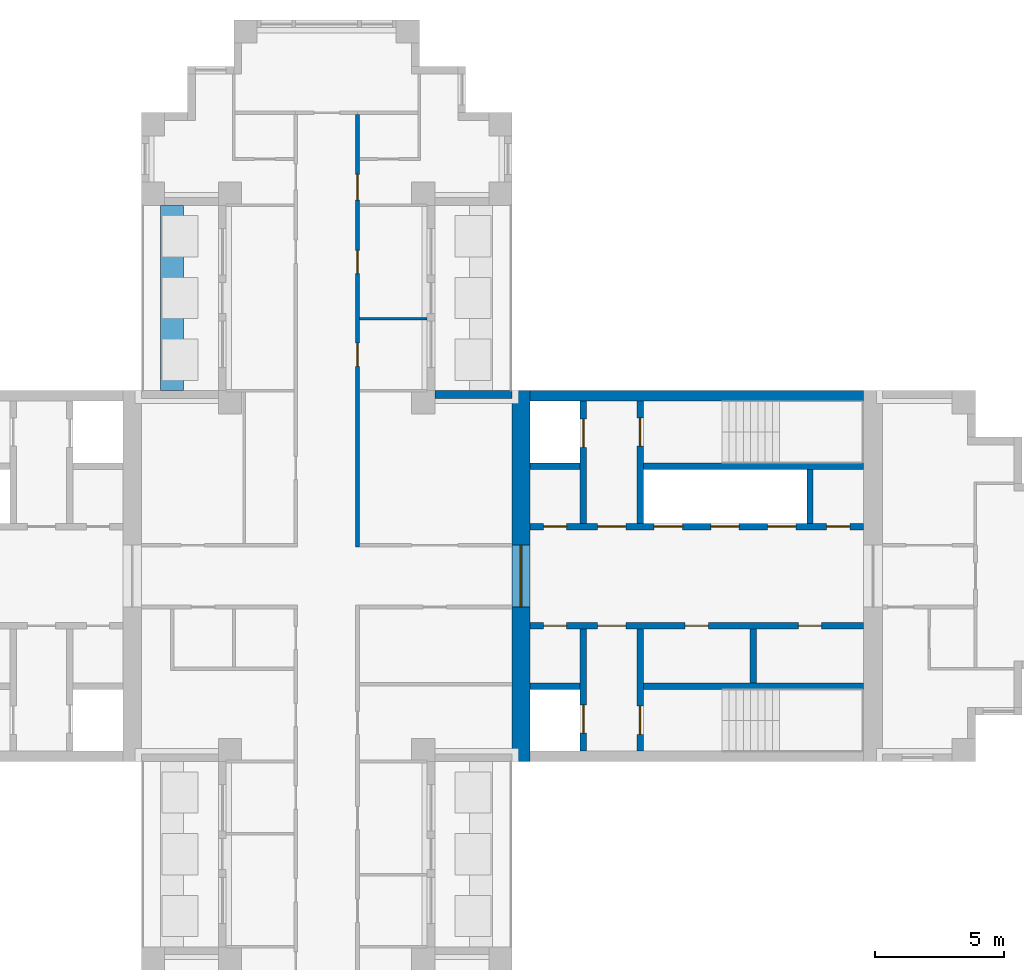
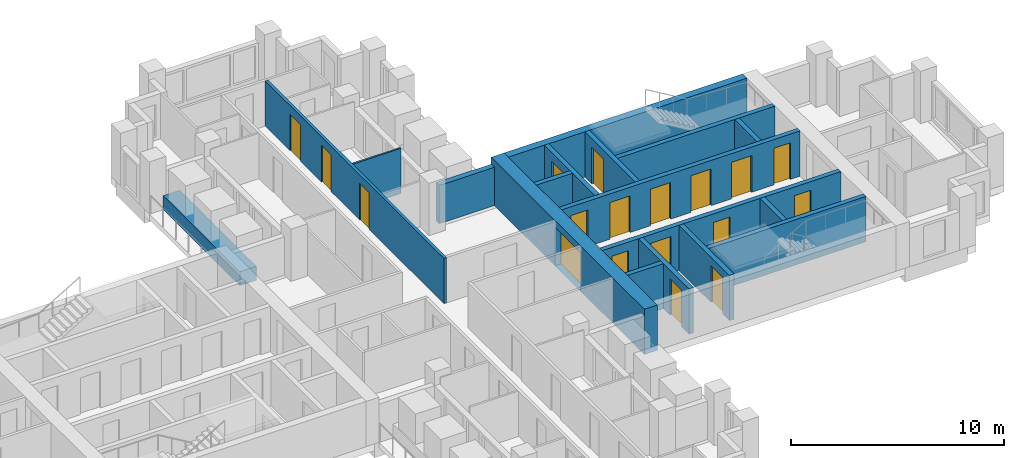
# One storey, part 6 of 11: 18 doors, 18 walls, 18 openings.
"""IFC4 building model written with IfcOpenShell, lengths in metres."""

from ifc_helpers import new_model, si_unit, direction, frame, frame_2d, origin, place, context, subcontext, project, spatial, rectangle, extrude, material, layer, layer_set, type_object, element, fill, save


model = new_model("IFC4")

# Units and contexts
model_context = context("Model", 3, precision=1e-05, world=origin(), true_north=direction((0.0, 1.0)))
body_context = subcontext(model_context, "Body", "Model", "MODEL_VIEW")
ifc_project = project(units=[si_unit("LENGTHUNIT", "METRE"), si_unit("AREAUNIT", "SQUARE_METRE"), si_unit("VOLUMEUNIT", "CUBIC_METRE"), si_unit("PLANEANGLEUNIT", "RADIAN"), si_unit("MASSUNIT", "GRAM", prefix="KILO")], contexts=[model_context])

# Site, building, storey
site_placement = place(None, origin())
site = spatial("IfcSite", under=ifc_project, at=site_placement, CompositionType="ELEMENT")
building_placement = place(site_placement, origin())
building = spatial("IfcBuilding", under=site, at=building_placement, Name="Fustian Cross Tower", CompositionType="ELEMENT")
storey_placement = place(building_placement, frame((0.0, 0.0, 170.699951171875)))
storey = spatial("IfcBuildingStorey", under=building, at=storey_placement, Name="L53", CompositionType="ELEMENT", Elevation=170.699951171875)

# Wall, openings, doors
ifc_material_1 = material(Name="Plasterboard on steel stud", Category="steel")
ifc_layer_1 = layer(ifc_material_1, 0.14990234375)
ifc_layer_set_1 = layer_set([ifc_layer_1], Name="Plasterboard on steel stud")
wall_type_1 = type_object("IfcWallType", Name="COMPARTMENT WALL 150 EI 60", PredefinedType="PARTITIONING", material=ifc_layer_set_1)
wall_1_placement = place(storey_placement, frame((1.199951171875, 1.125, 0.0), z_axis=(0.0, 0.0, 1.0), x_axis=(0.0, 1.0, 0.0)))
wall_1 = element("IfcWall", 1, at=wall_1_placement, inside=storey, type_object=wall_type_1, Name="Partition 41", PredefinedType="PARTITIONING", context=body_context, shape_type="SweptSolid", body=[
    extrude(rectangle(XDim=16.800048828125, YDim=0.14990234375, at=frame_2d((8.39990234375, 0.0))), origin(), (0.0, 0.0, 1.0), 2.60009765625),
])
opening_1_placement = place(wall_1_placement, frame((7.02490234375, 0.0, 0.0)))
opening_1 = element("IfcOpeningElement", 2, at=opening_1_placement, cuts=wall_1, Name="Opening D25017", PredefinedType="OPENING", context=body_context, shape_type="SweptSolid", body=[
    extrude(rectangle(XDim=0.89990234375, YDim=2.10009765625, at=frame_2d((0.449951171875, 1.050048828125))), frame((0.0, 0.0849609375, 0.0), z_axis=(0.0, -1.0, 0.0), x_axis=(1.0, 0.0, 0.0)), (0.0, 0.0, 1.0), 0.169921875),
])
opening_2_placement = place(wall_1_placement, frame((10.625, 0.0, 0.0)))
opening_2 = element("IfcOpeningElement", 3, at=opening_2_placement, cuts=wall_1, Name="Opening D25018", PredefinedType="OPENING", context=body_context, shape_type="SweptSolid", body=[
    extrude(rectangle(XDim=0.89990234375, YDim=2.10009765625, at=frame_2d((0.449951171875, 1.050048828125))), frame((0.0, 0.0849609375, 0.0), z_axis=(0.0, -1.0, 0.0), x_axis=(1.0, 0.0, 0.0)), (0.0, 0.0, 1.0), 0.169921875),
])
opening_3_placement = place(wall_1_placement, frame((13.47509765625, 0.0, 0.0)))
opening_3 = element("IfcOpeningElement", 4, at=opening_3_placement, cuts=wall_1, Name="Opening D25020", PredefinedType="OPENING", context=body_context, shape_type="SweptSolid", body=[
    extrude(rectangle(XDim=1.0, YDim=2.10009765625, at=frame_2d((0.5, 1.050048828125))), frame((0.0, 0.0849609375, 0.0), z_axis=(0.0, -1.0, 0.0), x_axis=(1.0, 0.0, 0.0)), (0.0, 0.0, 1.0), 0.169921875),
])
ifc_material_2 = material(Name="Timber fire door set", Category="wood")
door_type_1 = type_object("IfcDoorType", Name="FIRE SWING DOOR 1000 FD30S", OperationType="SINGLE_SWING_LEFT", PredefinedType="DOOR", material=ifc_material_2)
door_1_placement = place(opening_3_placement, frame((1.0, 0.0, 0.0), z_axis=(0.0, 0.0, 1.0), x_axis=(-1.0, 0.0, 0.0)))
door_1 = element("IfcDoor", 5, at=door_1_placement, inside=storey, type_object=door_type_1, Name="Door D25020", OperationType="SINGLE_SWING_RIGHT", OverallHeight=2.10009765625, OverallWidth=1.0, PredefinedType="DOOR", context=body_context, shape_type="SweptSolid", body=[
    extrude(rectangle(XDim=1.0, YDim=2.10009765625, at=frame_2d((0.5, 1.050048828125))), frame((0.0, 0.02490234375, 0.0), z_axis=(0.0, -1.0, 0.0), x_axis=(1.0, 0.0, 0.0)), (0.0, 0.0, 1.0), 0.050048828125),
])
fill(opening_3, door_1)
ifc_material_3 = material(Name="Timber fire door set", Category="wood")
door_type_2 = type_object("IfcDoorType", Name="FIRE SWING DOOR 900 FD30S", OperationType="SINGLE_SWING_LEFT", PredefinedType="DOOR", material=ifc_material_3)
door_2_placement = place(opening_1_placement, frame((0.89990234375, 0.0, 0.0), z_axis=(0.0, 0.0, 1.0), x_axis=(-1.0, 0.0, 0.0)))
door_2 = element("IfcDoor", 6, at=door_2_placement, inside=storey, type_object=door_type_2, Name="Door D25017", OperationType="SINGLE_SWING_RIGHT", OverallHeight=2.10009765625, OverallWidth=0.89990234375, PredefinedType="DOOR", context=body_context, shape_type="SweptSolid", body=[
    extrude(rectangle(XDim=0.89990234375, YDim=2.10009765625, at=frame_2d((0.449951171875, 1.050048828125))), frame((0.0, 0.02490234375, 0.0), z_axis=(0.0, -1.0, 0.0), x_axis=(1.0, 0.0, 0.0)), (0.0, 0.0, 1.0), 0.050048828125),
])
fill(opening_1, door_2)
door_3_placement = place(opening_2_placement, frame((0.89990234375, 0.0, 0.0), z_axis=(0.0, 0.0, 1.0), x_axis=(-1.0, 0.0, 0.0)))
door_3 = element("IfcDoor", 7, at=door_3_placement, inside=storey, type_object=door_type_2, Name="Door D25018", OperationType="SINGLE_SWING_RIGHT", OverallHeight=2.10009765625, OverallWidth=0.89990234375, PredefinedType="DOOR", context=body_context, shape_type="SweptSolid", body=[
    extrude(rectangle(XDim=0.89990234375, YDim=2.10009765625, at=frame_2d((0.449951171875, 1.050048828125))), frame((0.0, 0.02490234375, 0.0), z_axis=(0.0, -1.0, 0.0), x_axis=(1.0, 0.0, 0.0)), (0.0, 0.0, 1.0), 0.050048828125),
])
fill(opening_2, door_3)

# Wall, opening, door
ifc_material_4 = material(Name="Concrete C50/60", Category="concrete")
ifc_layer_2 = layer(ifc_material_4, 0.699951171875)
ifc_layer_set_2 = layer_set([ifc_layer_2], Name="Concrete C50/60")
wall_type_2 = type_object("IfcWallType", Name="CORE END WALL 700 C50/60", PredefinedType="SHEAR", material=ifc_layer_set_2)
wall_2_placement = place(storey_placement, frame((7.550048828125, -7.199951171875, 0.0), z_axis=(0.0, 0.0, 1.0), x_axis=(0.0, 1.0, 0.0)))
wall_2 = element("IfcWall", 8, at=wall_2_placement, inside=storey, type_object=wall_type_2, Name="Core end wall", PredefinedType="SHEAR", context=body_context, shape_type="SweptSolid", body=[
    extrude(rectangle(XDim=14.39990234375, YDim=0.699951171875, at=frame_2d((7.199951171875, 0.0))), origin(), (0.0, 0.0, 1.0), 2.60009765625),
])
opening_4_placement = place(wall_2_placement, frame((6.0, 0.0, 0.0)))
opening_4 = element("IfcOpeningElement", 9, at=opening_4_placement, cuts=wall_2, Name="Opening CD-22-12", PredefinedType="OPENING", context=body_context, shape_type="SweptSolid", body=[
    extrude(rectangle(XDim=2.39990234375, YDim=2.199951171875, at=frame_2d((1.199951171875, 1.10009765625))), frame((0.0, 0.35986328125, 0.0), z_axis=(0.0, -1.0, 0.0), x_axis=(1.0, 0.0, 0.0)), (0.0, 0.0, 1.0), 0.719970703125),
])
ifc_material_5 = material(Name="Steel", Category="steel")
door_type_3 = type_object("IfcDoorType", Name="FIRE DOOR FD30S DOUBLE 2400X2200", OperationType="DOUBLE_DOOR_DOUBLE_SWING", PredefinedType="DOOR", material=ifc_material_5)
door_4_placement = place(opening_4_placement, frame((2.39990234375, 0.0, 0.0), z_axis=(0.0, 0.0, 1.0), x_axis=(-1.0, 0.0, 0.0)))
door_4 = element("IfcDoor", 10, at=door_4_placement, inside=storey, type_object=door_type_3, Name="Core door CD-22-12", OperationType="DOUBLE_DOOR_DOUBLE_SWING", OverallHeight=2.199951171875, OverallWidth=2.39990234375, PredefinedType="DOOR", context=body_context, shape_type="SweptSolid", body=[
    extrude(rectangle(XDim=2.39990234375, YDim=2.199951171875, at=frame_2d((1.199951171875, 1.10009765625))), frame((0.0, 0.02490234375, 0.0), z_axis=(0.0, -1.0, 0.0), x_axis=(1.0, 0.0, 0.0)), (0.0, 0.0, 1.0), 0.050048828125),
])
fill(opening_4, door_4)

# Wall
ifc_material_6 = material(Name="Concrete C50/60", Category="concrete")
ifc_layer_3 = layer(ifc_material_6, 0.39990234375)
ifc_layer_set_3 = layer_set([ifc_layer_3], Name="Concrete C50/60")
wall_type_3 = type_object("IfcWallType", Name="CORE FACADE WALL 400 C50/60", PredefinedType="SHEAR", material=ifc_layer_set_3)
wall_3_placement = place(storey_placement, frame((7.89990234375, 7.0, 0.0), z_axis=(0.0, 0.0, 1.0), x_axis=(1.0, 0.0, 0.0)))
element("IfcWall", 11, at=wall_3_placement, inside=storey, type_object=wall_type_3, Name="Core facade wall", PredefinedType="SHEAR", context=body_context, shape_type="SweptSolid", body=[
    extrude(rectangle(XDim=12.9501953125, YDim=0.39990234375, at=frame_2d((6.47509765625, 0.0))), origin(), (0.0, 0.0, 1.0), 2.60009765625),
])

# Wall, openings, doors
ifc_material_7 = material(Name="Concrete C50/60", Category="concrete")
ifc_layer_4 = layer(ifc_material_7, 0.25)
ifc_layer_set_4 = layer_set([ifc_layer_4], Name="Concrete C50/60")
wall_type_4 = type_object("IfcWallType", Name="CORE LOBBY WALL 250 C50/60", PredefinedType="SHEAR", material=ifc_layer_set_4)
wall_4_placement = place(storey_placement, frame((7.89990234375, 1.925048828125, 0.0), z_axis=(0.0, 0.0, 1.0), x_axis=(1.0, 0.0, 0.0)))
wall_4 = element("IfcWall", 12, at=wall_4_placement, inside=storey, type_object=wall_type_4, Name="Core lobby wall", PredefinedType="SHEAR", context=body_context, shape_type="SweptSolid", body=[
    extrude(rectangle(XDim=12.9501953125, YDim=0.25, at=frame_2d((6.47509765625, 0.0))), origin(), (0.0, 0.0, 1.0), 2.60009765625),
])
opening_5_placement = place(wall_4_placement, frame((4.824951171875, 0.0, 0.0)))
opening_5 = element("IfcOpeningElement", 13, at=opening_5_placement, cuts=wall_4, Name="Opening LD", PredefinedType="OPENING", context=body_context, shape_type="SweptSolid", body=[
    extrude(rectangle(XDim=1.10009765625, YDim=2.10009765625, at=frame_2d((0.550048828125, 1.050048828125))), frame((0.0, 0.135009765625, 0.0), z_axis=(0.0, -1.0, 0.0), x_axis=(1.0, 0.0, 0.0)), (0.0, 0.0, 1.0), 0.27001953125),
])
opening_6_placement = place(wall_4_placement, frame((7.02490234375, 0.0, 0.0)))
opening_6 = element("IfcOpeningElement", 14, at=opening_6_placement, cuts=wall_4, Name="Opening LD", PredefinedType="OPENING", context=body_context, shape_type="SweptSolid", body=[
    extrude(rectangle(XDim=1.10009765625, YDim=2.10009765625, at=frame_2d((0.550048828125, 1.050048828125))), frame((0.0, 0.135009765625, 0.0), z_axis=(0.0, -1.0, 0.0), x_axis=(1.0, 0.0, 0.0)), (0.0, 0.0, 1.0), 0.27001953125),
])
opening_7_placement = place(wall_4_placement, frame((9.22509765625, 0.0, 0.0)))
opening_7 = element("IfcOpeningElement", 15, at=opening_7_placement, cuts=wall_4, Name="Opening LD", PredefinedType="OPENING", context=body_context, shape_type="SweptSolid", body=[
    extrude(rectangle(XDim=1.10009765625, YDim=2.10009765625, at=frame_2d((0.550048828125, 1.050048828125))), frame((0.0, 0.135009765625, 0.0), z_axis=(0.0, -1.0, 0.0), x_axis=(1.0, 0.0, 0.0)), (0.0, 0.0, 1.0), 0.27001953125),
])
opening_8_placement = place(wall_4_placement, frame((0.52490234375, 0.0, 0.0)))
opening_8 = element("IfcOpeningElement", 16, at=opening_8_placement, cuts=wall_4, Name="Opening CD-22-08", PredefinedType="OPENING", context=body_context, shape_type="SweptSolid", body=[
    extrude(rectangle(XDim=0.89990234375, YDim=2.10009765625, at=frame_2d((0.449951171875, 1.050048828125))), frame((0.0, 0.135009765625, 0.0), z_axis=(0.0, -1.0, 0.0), x_axis=(1.0, 0.0, 0.0)), (0.0, 0.0, 1.0), 0.27001953125),
])
opening_9_placement = place(wall_4_placement, frame((2.625, 0.0, 0.0)))
opening_9 = element("IfcOpeningElement", 17, at=opening_9_placement, cuts=wall_4, Name="Opening CD-22-10", PredefinedType="OPENING", context=body_context, shape_type="SweptSolid", body=[
    extrude(rectangle(XDim=1.10009765625, YDim=2.10009765625, at=frame_2d((0.550048828125, 1.050048828125))), frame((0.0, 0.135009765625, 0.0), z_axis=(0.0, -1.0, 0.0), x_axis=(1.0, 0.0, 0.0)), (0.0, 0.0, 1.0), 0.27001953125),
])
opening_10_placement = place(wall_4_placement, frame((11.52490234375, 0.0, 0.0)))
opening_10 = element("IfcOpeningElement", 18, at=opening_10_placement, cuts=wall_4, Name="Opening CD-22-14", PredefinedType="OPENING", context=body_context, shape_type="SweptSolid", body=[
    extrude(rectangle(XDim=0.89990234375, YDim=2.10009765625, at=frame_2d((0.449951171875, 1.050048828125))), frame((0.0, 0.135009765625, 0.0), z_axis=(0.0, -1.0, 0.0), x_axis=(1.0, 0.0, 0.0)), (0.0, 0.0, 1.0), 0.27001953125),
])
ifc_material_8 = material(Name="Steel", Category="steel")
door_type_4 = type_object("IfcDoorType", Name="FIRE DOOR FD30S 900X2100", OperationType="SINGLE_SWING_LEFT", PredefinedType="DOOR", material=ifc_material_8)
door_5_placement = place(opening_10_placement, origin())
door_5 = element("IfcDoor", 19, at=door_5_placement, inside=storey, type_object=door_type_4, Name="Core door CD-22-14", OperationType="SINGLE_SWING_LEFT", OverallHeight=2.10009765625, OverallWidth=0.89990234375, PredefinedType="DOOR", context=body_context, shape_type="SweptSolid", body=[
    extrude(rectangle(XDim=0.89990234375, YDim=2.10009765625, at=frame_2d((0.449951171875, 1.050048828125))), frame((0.0, 0.02490234375, 0.0), z_axis=(0.0, -1.0, 0.0), x_axis=(1.0, 0.0, 0.0)), (0.0, 0.0, 1.0), 0.050048828125),
])
fill(opening_10, door_5)
ifc_material_9 = material(Name="Steel", Category="steel")
door_type_5 = type_object("IfcDoorType", Name="FIRE DOOR FD60S 1100X2100", OperationType="SINGLE_SWING_LEFT", PredefinedType="DOOR", material=ifc_material_9)
door_6_placement = place(opening_9_placement, frame((1.10009765625, 0.0, 0.0), z_axis=(0.0, 0.0, 1.0), x_axis=(-1.0, 0.0, 0.0)))
door_6 = element("IfcDoor", 20, at=door_6_placement, inside=storey, type_object=door_type_5, Name="Core door CD-22-10", OperationType="SINGLE_SWING_RIGHT", OverallHeight=2.10009765625, OverallWidth=1.10009765625, PredefinedType="DOOR", context=body_context, shape_type="SweptSolid", body=[
    extrude(rectangle(XDim=1.10009765625, YDim=2.10009765625, at=frame_2d((0.550048828125, 1.050048828125))), frame((0.0, 0.02490234375, 0.0), z_axis=(0.0, -1.0, 0.0), x_axis=(1.0, 0.0, 0.0)), (0.0, 0.0, 1.0), 0.050048828125),
])
fill(opening_9, door_6)
ifc_material_10 = material(Name="Steel", Category="steel")
door_type_6 = type_object("IfcDoorType", Name="FIRE DOOR FD60S 900X2100", OperationType="SINGLE_SWING_LEFT", PredefinedType="DOOR", material=ifc_material_10)
door_7_placement = place(opening_8_placement, origin())
door_7 = element("IfcDoor", 21, at=door_7_placement, inside=storey, type_object=door_type_6, Name="Core door CD-22-08", OperationType="SINGLE_SWING_LEFT", OverallHeight=2.10009765625, OverallWidth=0.89990234375, PredefinedType="DOOR", context=body_context, shape_type="SweptSolid", body=[
    extrude(rectangle(XDim=0.89990234375, YDim=2.10009765625, at=frame_2d((0.449951171875, 1.050048828125))), frame((0.0, 0.02490234375, 0.0), z_axis=(0.0, -1.0, 0.0), x_axis=(1.0, 0.0, 0.0)), (0.0, 0.0, 1.0), 0.050048828125),
])
fill(opening_8, door_7)
ifc_material_11 = material(Name="Stainless steel", Category="steel")
door_type_7 = type_object("IfcDoorType", Name="LIFT LANDING DOOR 1100X2100", OperationType="SLIDING_TO_LEFT", PredefinedType="DOOR", material=ifc_material_11)
door_8_placement = place(opening_5_placement, origin())
door_8 = element("IfcDoor", 22, at=door_8_placement, inside=storey, type_object=door_type_7, Name="Landing door HR1", OperationType="SLIDING_TO_LEFT", OverallHeight=2.10009765625, OverallWidth=1.10009765625, PredefinedType="DOOR", context=body_context, shape_type="SweptSolid", body=[
    extrude(rectangle(XDim=1.10009765625, YDim=2.10009765625, at=frame_2d((0.550048828125, 1.050048828125))), frame((0.0, 0.02490234375, 0.0), z_axis=(0.0, -1.0, 0.0), x_axis=(1.0, 0.0, 0.0)), (0.0, 0.0, 1.0), 0.050048828125),
])
fill(opening_5, door_8)
door_9_placement = place(opening_6_placement, origin())
door_9 = element("IfcDoor", 23, at=door_9_placement, inside=storey, type_object=door_type_7, Name="Landing door HR2", OperationType="SLIDING_TO_LEFT", OverallHeight=2.10009765625, OverallWidth=1.10009765625, PredefinedType="DOOR", context=body_context, shape_type="SweptSolid", body=[
    extrude(rectangle(XDim=1.10009765625, YDim=2.10009765625, at=frame_2d((0.550048828125, 1.050048828125))), frame((0.0, 0.02490234375, 0.0), z_axis=(0.0, -1.0, 0.0), x_axis=(1.0, 0.0, 0.0)), (0.0, 0.0, 1.0), 0.050048828125),
])
fill(opening_6, door_9)
door_10_placement = place(opening_7_placement, origin())
door_10 = element("IfcDoor", 24, at=door_10_placement, inside=storey, type_object=door_type_7, Name="Landing door HR3", OperationType="SLIDING_TO_LEFT", OverallHeight=2.10009765625, OverallWidth=1.10009765625, PredefinedType="DOOR", context=body_context, shape_type="SweptSolid", body=[
    extrude(rectangle(XDim=1.10009765625, YDim=2.10009765625, at=frame_2d((0.550048828125, 1.050048828125))), frame((0.0, 0.02490234375, 0.0), z_axis=(0.0, -1.0, 0.0), x_axis=(1.0, 0.0, 0.0)), (0.0, 0.0, 1.0), 0.050048828125),
])
fill(opening_7, door_10)

wall_5_placement = place(storey_placement, frame((7.89990234375, -1.925048828125, 0.0), z_axis=(0.0, 0.0, 1.0), x_axis=(1.0, 0.0, 0.0)))
wall_5 = element("IfcWall", 25, at=wall_5_placement, inside=storey, type_object=wall_type_4, Name="Core lobby wall", PredefinedType="SHEAR", context=body_context, shape_type="SweptSolid", body=[
    extrude(rectangle(XDim=12.9501953125, YDim=0.25, at=frame_2d((6.47509765625, 0.0))), origin(), (0.0, 0.0, 1.0), 2.60009765625),
])
opening_11_placement = place(wall_5_placement, frame((0.52490234375, 0.0, 0.0)))
opening_11 = element("IfcOpeningElement", 26, at=opening_11_placement, cuts=wall_5, Name="Opening CD-22-09", PredefinedType="OPENING", context=body_context, shape_type="SweptSolid", body=[
    extrude(rectangle(XDim=0.89990234375, YDim=2.10009765625, at=frame_2d((0.449951171875, 1.050048828125))), frame((0.0, 0.135009765625, 0.0), z_axis=(0.0, -1.0, 0.0), x_axis=(1.0, 0.0, 0.0)), (0.0, 0.0, 1.0), 0.27001953125),
])
opening_12_placement = place(wall_5_placement, frame((2.625, 0.0, 0.0)))
opening_12 = element("IfcOpeningElement", 27, at=opening_12_placement, cuts=wall_5, Name="Opening CD-22-11", PredefinedType="OPENING", context=body_context, shape_type="SweptSolid", body=[
    extrude(rectangle(XDim=1.10009765625, YDim=2.10009765625, at=frame_2d((0.550048828125, 1.050048828125))), frame((0.0, 0.135009765625, 0.0), z_axis=(0.0, -1.0, 0.0), x_axis=(1.0, 0.0, 0.0)), (0.0, 0.0, 1.0), 0.27001953125),
])
opening_13_placement = place(wall_5_placement, frame((6.02490234375, 0.0, 0.0)))
opening_13 = element("IfcOpeningElement", 28, at=opening_13_placement, cuts=wall_5, Name="Opening CD-22-15", PredefinedType="OPENING", context=body_context, shape_type="SweptSolid", body=[
    extrude(rectangle(XDim=0.89990234375, YDim=2.10009765625, at=frame_2d((0.449951171875, 1.050048828125))), frame((0.0, 0.135009765625, 0.0), z_axis=(0.0, -1.0, 0.0), x_axis=(1.0, 0.0, 0.0)), (0.0, 0.0, 1.0), 0.27001953125),
])
opening_14_placement = place(wall_5_placement, frame((10.425048828125, 0.0, 0.0)))
opening_14 = element("IfcOpeningElement", 29, at=opening_14_placement, cuts=wall_5, Name="Opening CD-22-16", PredefinedType="OPENING", context=body_context, shape_type="SweptSolid", body=[
    extrude(rectangle(XDim=0.89990234375, YDim=2.10009765625, at=frame_2d((0.449951171875, 1.050048828125))), frame((0.0, 0.135009765625, 0.0), z_axis=(0.0, -1.0, 0.0), x_axis=(1.0, 0.0, 0.0)), (0.0, 0.0, 1.0), 0.27001953125),
])
ifc_material_12 = material(Name="Steel", Category="steel")
door_type_8 = type_object("IfcDoorType", Name="FIRE DOOR FD30S 1100X2100", OperationType="SINGLE_SWING_LEFT", PredefinedType="DOOR", material=ifc_material_12)
door_11_placement = place(opening_12_placement, frame((1.10009765625, 0.0, 0.0), z_axis=(0.0, 0.0, 1.0), x_axis=(-1.0, 0.0, 0.0)))
door_11 = element("IfcDoor", 30, at=door_11_placement, inside=storey, type_object=door_type_8, Name="Core door CD-22-11", OperationType="SINGLE_SWING_RIGHT", OverallHeight=2.10009765625, OverallWidth=1.10009765625, PredefinedType="DOOR", context=body_context, shape_type="SweptSolid", body=[
    extrude(rectangle(XDim=1.10009765625, YDim=2.10009765625, at=frame_2d((0.550048828125, 1.050048828125))), frame((0.0, 0.02490234375, 0.0), z_axis=(0.0, -1.0, 0.0), x_axis=(1.0, 0.0, 0.0)), (0.0, 0.0, 1.0), 0.050048828125),
])
fill(opening_12, door_11)
door_12_placement = place(opening_11_placement, frame((0.89990234375, 0.0, 0.0), z_axis=(0.0, 0.0, 1.0), x_axis=(-1.0, 0.0, 0.0)))
door_12 = element("IfcDoor", 31, at=door_12_placement, inside=storey, type_object=door_type_4, Name="Core door CD-22-09", OperationType="SINGLE_SWING_RIGHT", OverallHeight=2.10009765625, OverallWidth=0.89990234375, PredefinedType="DOOR", context=body_context, shape_type="SweptSolid", body=[
    extrude(rectangle(XDim=0.89990234375, YDim=2.10009765625, at=frame_2d((0.449951171875, 1.050048828125))), frame((0.0, 0.02490234375, 0.0), z_axis=(0.0, -1.0, 0.0), x_axis=(1.0, 0.0, 0.0)), (0.0, 0.0, 1.0), 0.050048828125),
])
fill(opening_11, door_12)
door_13_placement = place(opening_13_placement, frame((0.89990234375, 0.0, 0.0), z_axis=(0.0, 0.0, 1.0), x_axis=(-1.0, 0.0, 0.0)))
door_13 = element("IfcDoor", 32, at=door_13_placement, inside=storey, type_object=door_type_4, Name="Core door CD-22-15", OperationType="SINGLE_SWING_LEFT", OverallHeight=2.10009765625, OverallWidth=0.89990234375, PredefinedType="DOOR", context=body_context, shape_type="SweptSolid", body=[
    extrude(rectangle(XDim=0.89990234375, YDim=2.10009765625, at=frame_2d((0.449951171875, 1.050048828125))), frame((0.0, 0.02490234375, 0.0), z_axis=(0.0, -1.0, 0.0), x_axis=(1.0, 0.0, 0.0)), (0.0, 0.0, 1.0), 0.050048828125),
])
fill(opening_13, door_13)
door_14_placement = place(opening_14_placement, frame((0.89990234375, 0.0, 0.0), z_axis=(0.0, 0.0, 1.0), x_axis=(-1.0, 0.0, 0.0)))
door_14 = element("IfcDoor", 33, at=door_14_placement, inside=storey, type_object=door_type_4, Name="Core door CD-22-16", OperationType="SINGLE_SWING_LEFT", OverallHeight=2.10009765625, OverallWidth=0.89990234375, PredefinedType="DOOR", context=body_context, shape_type="SweptSolid", body=[
    extrude(rectangle(XDim=0.89990234375, YDim=2.10009765625, at=frame_2d((0.449951171875, 1.050048828125))), frame((0.0, 0.02490234375, 0.0), z_axis=(0.0, -1.0, 0.0), x_axis=(1.0, 0.0, 0.0)), (0.0, 0.0, 1.0), 0.050048828125),
])
fill(opening_14, door_14)

# Walls
ifc_material_13 = material(Name="Concrete C50/60", Category="concrete")
ifc_layer_5 = layer(ifc_material_13, 0.25)
ifc_layer_set_5 = layer_set([ifc_layer_5], Name="Concrete C50/60")
wall_type_5 = type_object("IfcWallType", Name="CORE SHAFT WALL 250 C50/60", PredefinedType="SHEAR", material=ifc_layer_set_5)
wall_6_placement = place(storey_placement, frame((7.89990234375, 4.27490234375, 0.0), z_axis=(0.0, 0.0, 1.0), x_axis=(1.0, 0.0, 0.0)))
element("IfcWall", 34, at=wall_6_placement, inside=storey, type_object=wall_type_5, Name="Core shaft wall", PredefinedType="SHEAR", context=body_context, shape_type="SweptSolid", body=[
    extrude(rectangle(XDim=1.9501953125, YDim=0.25, at=frame_2d((0.97509765625, 0.0))), origin(), (0.0, 0.0, 1.0), 2.60009765625),
])
wall_7_placement = place(storey_placement, frame((12.300048828125, 4.27490234375, 0.0), z_axis=(0.0, 0.0, 1.0), x_axis=(1.0, 0.0, 0.0)))
element("IfcWall", 35, at=wall_7_placement, inside=storey, type_object=wall_type_5, Name="Core shaft wall", PredefinedType="SHEAR", context=body_context, shape_type="SweptSolid", body=[
    extrude(rectangle(XDim=8.550048828125, YDim=0.25, at=frame_2d((4.27490234375, 0.0))), origin(), (0.0, 0.0, 1.0), 2.60009765625),
])

# Wall, opening, door
wall_8_placement = place(storey_placement, frame((9.97509765625, 2.050048828125, 0.0), z_axis=(0.0, 0.0, 1.0), x_axis=(0.0, 1.0, 0.0)))
wall_8 = element("IfcWall", 36, at=wall_8_placement, inside=storey, type_object=wall_type_5, Name="Core shaft wall", PredefinedType="SHEAR", context=body_context, shape_type="SweptSolid", body=[
    extrude(rectangle(XDim=4.75, YDim=0.25, at=frame_2d((2.375, 0.0))), origin(), (0.0, 0.0, 1.0), 2.60009765625),
])
opening_15_placement = place(wall_8_placement, frame((2.949951171875, 0.0, 0.0)))
opening_15 = element("IfcOpeningElement", 37, at=opening_15_placement, cuts=wall_8, Name="Opening LD", PredefinedType="OPENING", context=body_context, shape_type="SweptSolid", body=[
    extrude(rectangle(XDim=1.10009765625, YDim=2.10009765625, at=frame_2d((0.550048828125, 1.050048828125))), frame((0.0, 0.135009765625, 0.0), z_axis=(0.0, -1.0, 0.0), x_axis=(1.0, 0.0, 0.0)), (0.0, 0.0, 1.0), 0.27001953125),
])
door_15_placement = place(opening_15_placement, origin())
door_15 = element("IfcDoor", 38, at=door_15_placement, inside=storey, type_object=door_type_7, Name="Landing door FL1", OperationType="SLIDING_TO_LEFT", OverallHeight=2.10009765625, OverallWidth=1.10009765625, PredefinedType="DOOR", context=body_context, shape_type="SweptSolid", body=[
    extrude(rectangle(XDim=1.10009765625, YDim=2.10009765625, at=frame_2d((0.550048828125, 1.050048828125))), frame((0.0, 0.02490234375, 0.0), z_axis=(0.0, -1.0, 0.0), x_axis=(1.0, 0.0, 0.0)), (0.0, 0.0, 1.0), 0.050048828125),
])
fill(opening_15, door_15)

wall_9_placement = place(storey_placement, frame((12.175048828125, 2.050048828125, 0.0), z_axis=(0.0, 0.0, 1.0), x_axis=(0.0, 1.0, 0.0)))
wall_9 = element("IfcWall", 39, at=wall_9_placement, inside=storey, type_object=wall_type_5, Name="Core shaft wall", PredefinedType="SHEAR", context=body_context, shape_type="SweptSolid", body=[
    extrude(rectangle(XDim=4.75, YDim=0.25, at=frame_2d((2.375, 0.0))), origin(), (0.0, 0.0, 1.0), 2.60009765625),
])
opening_16_placement = place(wall_9_placement, frame((3.0, 0.0, 0.0)))
opening_16 = element("IfcOpeningElement", 40, at=opening_16_placement, cuts=wall_9, Name="Opening CD-22-06", PredefinedType="OPENING", context=body_context, shape_type="SweptSolid", body=[
    extrude(rectangle(XDim=1.10009765625, YDim=2.10009765625, at=frame_2d((0.550048828125, 1.050048828125))), frame((0.0, 0.135009765625, 0.0), z_axis=(0.0, -1.0, 0.0), x_axis=(1.0, 0.0, 0.0)), (0.0, 0.0, 1.0), 0.27001953125),
])
door_16_placement = place(opening_16_placement, frame((1.10009765625, 0.0, 0.0), z_axis=(0.0, 0.0, 1.0), x_axis=(-1.0, 0.0, 0.0)))
door_16 = element("IfcDoor", 41, at=door_16_placement, inside=storey, type_object=door_type_5, Name="Core door CD-22-06", OperationType="SINGLE_SWING_RIGHT", OverallHeight=2.10009765625, OverallWidth=1.10009765625, PredefinedType="DOOR", context=body_context, shape_type="SweptSolid", body=[
    extrude(rectangle(XDim=1.10009765625, YDim=2.10009765625, at=frame_2d((0.550048828125, 1.050048828125))), frame((0.0, 0.02490234375, 0.0), z_axis=(0.0, -1.0, 0.0), x_axis=(1.0, 0.0, 0.0)), (0.0, 0.0, 1.0), 0.050048828125),
])
fill(opening_16, door_16)

# Walls
wall_10_placement = place(storey_placement, frame((7.89990234375, -4.27490234375, 0.0), z_axis=(0.0, 0.0, 1.0), x_axis=(1.0, 0.0, 0.0)))
element("IfcWall", 42, at=wall_10_placement, inside=storey, type_object=wall_type_5, Name="Core shaft wall", PredefinedType="SHEAR", context=body_context, shape_type="SweptSolid", body=[
    extrude(rectangle(XDim=1.9501953125, YDim=0.25, at=frame_2d((0.97509765625, 0.0))), origin(), (0.0, 0.0, 1.0), 2.60009765625),
])
wall_11_placement = place(storey_placement, frame((12.300048828125, -4.27490234375, 0.0), z_axis=(0.0, 0.0, 1.0), x_axis=(1.0, 0.0, 0.0)))
element("IfcWall", 43, at=wall_11_placement, inside=storey, type_object=wall_type_5, Name="Core shaft wall", PredefinedType="SHEAR", context=body_context, shape_type="SweptSolid", body=[
    extrude(rectangle(XDim=8.550048828125, YDim=0.25, at=frame_2d((4.27490234375, 0.0))), origin(), (0.0, 0.0, 1.0), 2.60009765625),
])

# Wall, opening, door
wall_12_placement = place(storey_placement, frame((9.97509765625, -2.050048828125, 0.0), z_axis=(0.0, 0.0, 1.0), x_axis=(0.0, -1.0, 0.0)))
wall_12 = element("IfcWall", 44, at=wall_12_placement, inside=storey, type_object=wall_type_5, Name="Core shaft wall", PredefinedType="SHEAR", context=body_context, shape_type="SweptSolid", body=[
    extrude(rectangle(XDim=4.75, YDim=0.25, at=frame_2d((2.375, 0.0))), origin(), (0.0, 0.0, 1.0), 2.60009765625),
])
opening_17_placement = place(wall_12_placement, frame((2.949951171875, 0.0, 0.0)))
opening_17 = element("IfcOpeningElement", 45, at=opening_17_placement, cuts=wall_12, Name="Opening LD", PredefinedType="OPENING", context=body_context, shape_type="SweptSolid", body=[
    extrude(rectangle(XDim=1.10009765625, YDim=2.10009765625, at=frame_2d((0.550048828125, 1.050048828125))), frame((0.0, 0.135009765625, 0.0), z_axis=(0.0, -1.0, 0.0), x_axis=(1.0, 0.0, 0.0)), (0.0, 0.0, 1.0), 0.27001953125),
])
door_17_placement = place(opening_17_placement, origin())
door_17 = element("IfcDoor", 46, at=door_17_placement, inside=storey, type_object=door_type_7, Name="Landing door SV1", OperationType="SLIDING_TO_LEFT", OverallHeight=2.10009765625, OverallWidth=1.10009765625, PredefinedType="DOOR", context=body_context, shape_type="SweptSolid", body=[
    extrude(rectangle(XDim=1.10009765625, YDim=2.10009765625, at=frame_2d((0.550048828125, 1.050048828125))), frame((0.0, 0.02490234375, 0.0), z_axis=(0.0, -1.0, 0.0), x_axis=(1.0, 0.0, 0.0)), (0.0, 0.0, 1.0), 0.050048828125),
])
fill(opening_17, door_17)

wall_13_placement = place(storey_placement, frame((12.175048828125, -2.050048828125, 0.0), z_axis=(0.0, 0.0, 1.0), x_axis=(0.0, -1.0, 0.0)))
wall_13 = element("IfcWall", 47, at=wall_13_placement, inside=storey, type_object=wall_type_5, Name="Core shaft wall", PredefinedType="SHEAR", context=body_context, shape_type="SweptSolid", body=[
    extrude(rectangle(XDim=4.75, YDim=0.25, at=frame_2d((2.375, 0.0))), origin(), (0.0, 0.0, 1.0), 2.60009765625),
])
opening_18_placement = place(wall_13_placement, frame((3.0, 0.0, 0.0)))
opening_18 = element("IfcOpeningElement", 48, at=opening_18_placement, cuts=wall_13, Name="Opening CD-22-07", PredefinedType="OPENING", context=body_context, shape_type="SweptSolid", body=[
    extrude(rectangle(XDim=1.10009765625, YDim=2.10009765625, at=frame_2d((0.550048828125, 1.050048828125))), frame((0.0, 0.135009765625, 0.0), z_axis=(0.0, -1.0, 0.0), x_axis=(1.0, 0.0, 0.0)), (0.0, 0.0, 1.0), 0.27001953125),
])
door_18_placement = place(opening_18_placement, origin())
door_18 = element("IfcDoor", 49, at=door_18_placement, inside=storey, type_object=door_type_5, Name="Core door CD-22-07", OperationType="SINGLE_SWING_LEFT", OverallHeight=2.10009765625, OverallWidth=1.10009765625, PredefinedType="DOOR", context=body_context, shape_type="SweptSolid", body=[
    extrude(rectangle(XDim=1.10009765625, YDim=2.10009765625, at=frame_2d((0.550048828125, 1.050048828125))), frame((0.0, 0.02490234375, 0.0), z_axis=(0.0, -1.0, 0.0), x_axis=(1.0, 0.0, 0.0)), (0.0, 0.0, 1.0), 0.050048828125),
])
fill(opening_18, door_18)

# Walls
ifc_material_14 = material(Name="Plasterboard on steel stud", Category="steel")
ifc_layer_6 = layer(ifc_material_14, 0.10009765625)
ifc_layer_set_6 = layer_set([ifc_layer_6], Name="Plasterboard on steel stud")
wall_type_6 = type_object("IfcWallType", Name="PARTITION 100 STUD", PredefinedType="PARTITIONING", material=ifc_layer_set_6)
wall_14_placement = place(storey_placement, frame((1.27490234375, 10.0, 0.0), z_axis=(0.0, 0.0, 1.0), x_axis=(1.0, 0.0, 0.0)))
element("IfcWall", 50, at=wall_14_placement, inside=storey, type_object=wall_type_6, Name="Partition 44", PredefinedType="PARTITIONING", context=body_context, shape_type="SweptSolid", body=[
    extrude(rectangle(XDim=2.625, YDim=0.10009765625, at=frame_2d((1.3125, 0.0))), origin(), (0.0, 0.0, 1.0), 2.60009765625),
])
ifc_material_15 = material(Name="Concrete C40/50", Category="concrete")
ifc_layer_7 = layer(ifc_material_15, 0.89990234375)
ifc_layer_set_7 = layer_set([ifc_layer_7], Name="Concrete C40/50")
wall_type_7 = type_object("IfcWallType", Name="PK1 PLANTER 900", PredefinedType="PARAPET", material=ifc_layer_set_7)
wall_15_placement = place(storey_placement, frame((-6.0, 7.199951171875, 0.0), z_axis=(0.0, 0.0, 1.0), x_axis=(0.0, 1.0, 0.0)))
element("IfcWall", 51, at=wall_15_placement, inside=storey, type_object=wall_type_7, Name="PLANTER", PredefinedType="PARAPET", context=body_context, shape_type="SweptSolid", body=[
    extrude(rectangle(XDim=7.199951171875, YDim=0.89990234375, at=frame_2d((3.60009765625, 0.0))), origin(), (0.0, 0.0, 1.0), 0.800048828125),
])
ifc_material_16 = material(Name="Concrete C40/50", Category="concrete")
ifc_layer_8 = layer(ifc_material_16, 0.25)
ifc_layer_set_8 = layer_set([ifc_layer_8], Name="Concrete C40/50")
wall_type_8 = type_object("IfcWallType", Name="SHAFT PARTITION WALL 250 C40/50", PredefinedType="PARTITIONING", material=ifc_layer_set_8)
for number, where, z_axis, x_axis, name in (
    (52, (18.77490234375, 2.050048828125, 0.0), (0.0, 0.0, 1.0), (0.0, 1.0, 0.0), "Core shaft wall"),
    (53, (16.574951171875, -2.050048828125, 0.0), (0.0, 0.0, 1.0), (0.0, -1.0, 0.0), "Core shaft wall"),
):
    element("IfcWall", number, at=place(storey_placement, frame(where, z_axis=z_axis, x_axis=x_axis)), inside=storey, type_object=wall_type_8, Name=name, PredefinedType="PARTITIONING", context=body_context, shape_type="SweptSolid", body=[
        extrude(rectangle(XDim=2.099853515625, YDim=0.25, at=frame_2d((1.0498046875, 0.0))), origin(), (0.0, 0.0, 1.0), 2.60009765625),
    ])
ifc_material_17 = material(Name="Dark aluminium cladding on insulated backing wall", Category="aluminium")
ifc_layer_9 = layer(ifc_material_17, 0.300048828125)
ifc_layer_set_9 = layer_set([ifc_layer_9], Name="Dark aluminium cladding on insulated backing wall")
wall_type_9 = type_object("IfcWallType", Name="XW1 EXTERNAL WALL 300", PredefinedType="SOLIDWALL", material=ifc_layer_set_9)
wall_16_placement = place(storey_placement, frame((7.199951171875, 7.050048828125, 0.0), z_axis=(0.0, 0.0, 1.0), x_axis=(-1.0, 0.0, 0.0)))
element("IfcWall", 54, at=wall_16_placement, inside=storey, type_object=wall_type_9, Name="External wall", PredefinedType="SOLIDWALL", context=body_context, shape_type="SweptSolid", body=[
    extrude(rectangle(XDim=3.0, YDim=0.300048828125, at=frame_2d((1.5, 0.0))), origin(), (0.0, 0.0, 1.0), 2.199951171875),
])

save(model, "model.ifc")
